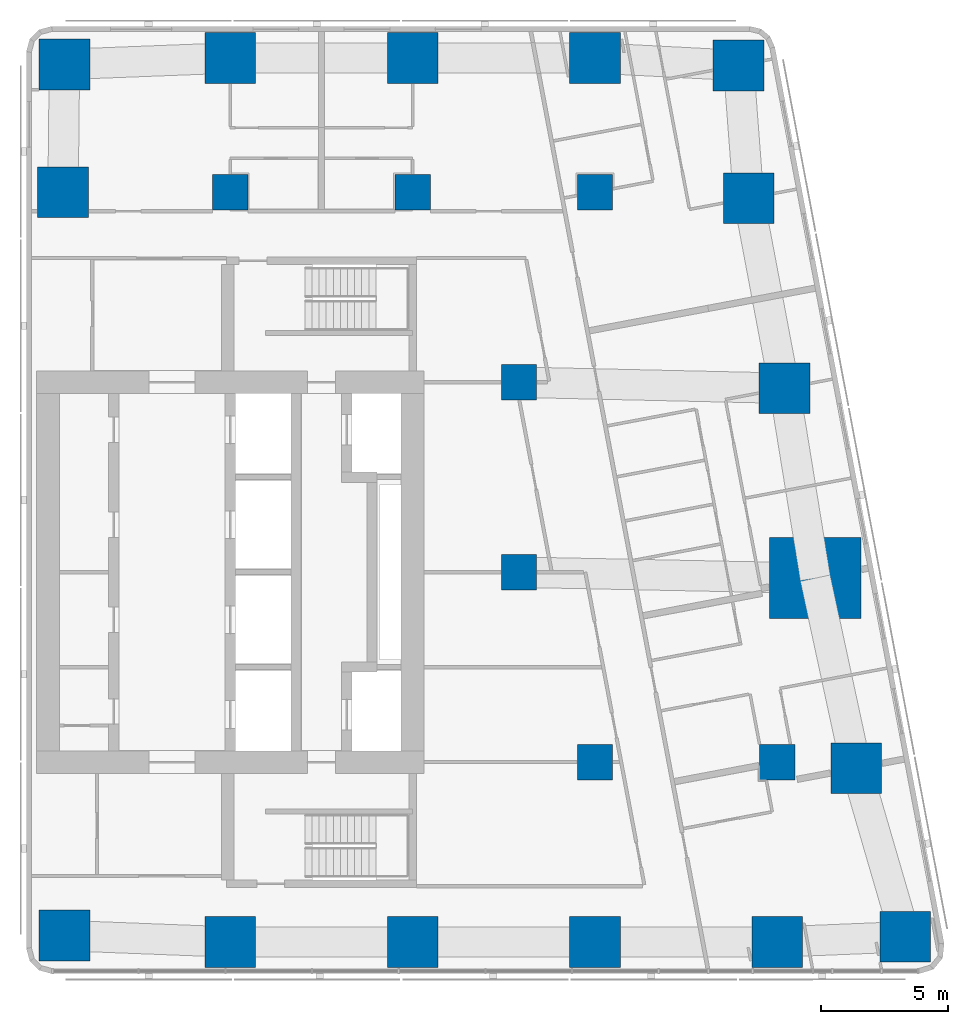
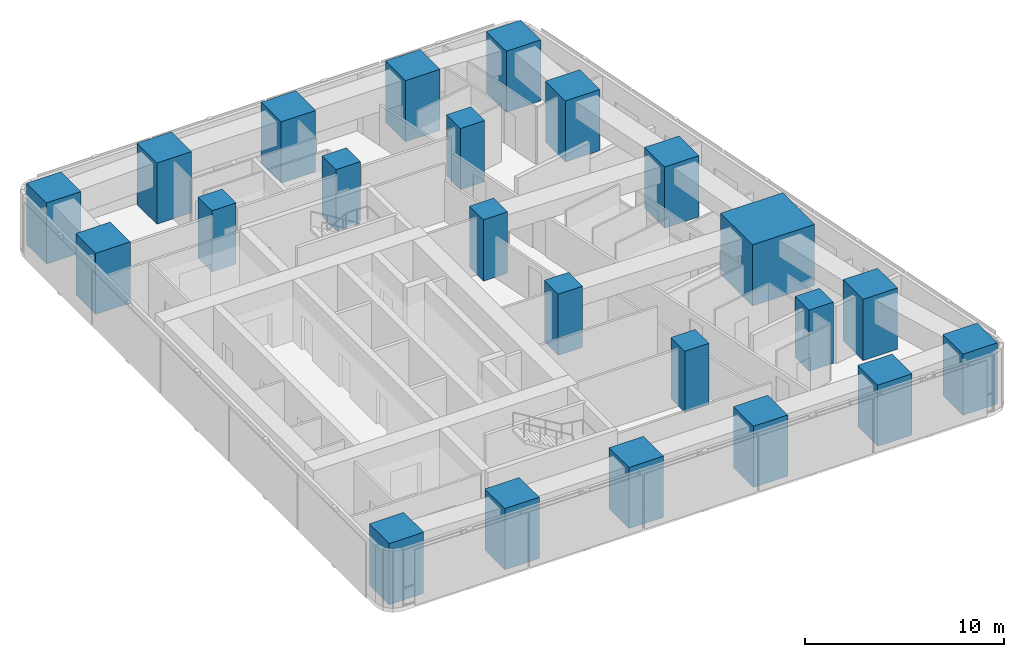
# One storey, part 1 of 11: 23 columns.
"""IFC4 building model written with IfcOpenShell, lengths in metres."""

from ifc_helpers import new_model, si_unit, direction, frame, origin, origin_2d, place, context, subcontext, project, spatial, rectangle, extrude, material, material_profile, profile_set, type_object, element, save


model = new_model("IFC4")

# Units and contexts
model_context = context("Model", 3, precision=1e-05, world=origin(), true_north=direction((0.0, 1.0)))
body_context = subcontext(model_context, "Body", "Model", "MODEL_VIEW")
ifc_project = project(units=[si_unit("LENGTHUNIT", "METRE"), si_unit("AREAUNIT", "SQUARE_METRE"), si_unit("VOLUMEUNIT", "CUBIC_METRE"), si_unit("PLANEANGLEUNIT", "RADIAN"), si_unit("MASSUNIT", "GRAM", prefix="KILO")], contexts=[model_context])

# Site, building, storey
site_placement = place(None, origin())
site = spatial("IfcSite", under=ifc_project, at=site_placement, CompositionType="ELEMENT")
building_placement = place(site_placement, origin())
building = spatial("IfcBuilding", under=site, at=building_placement, Name="Sheger Commons Tower", CompositionType="ELEMENT")
storey_placement = place(building_placement, frame((0.0, 0.0, 255.35009765625)))
storey = spatial("IfcBuildingStorey", under=building, at=storey_placement, Name="L65", CompositionType="ELEMENT", Elevation=255.35009765625)

# Columns
ifc_material_1 = material(Name="Concrete C50/60", Category="concrete")
ifc_material_profile_1 = material_profile(ifc_material_1, rectangle(XDim=3.60009765625, YDim=3.199951171875, at=origin_2d()), Name="RC 3600x3200")
ifc_profile_set_1 = profile_set([ifc_material_profile_1], Name="Concrete C50/60")
column_type_1 = type_object("IfcColumnType", Name="COLUMN PIER RC 3600x3200", PredefinedType="COLUMN", material=ifc_profile_set_1)
column_placement = place(storey_placement, frame((44.697021484375, 22.262939453125, 0.0), z_axis=(0.0, 0.0, 1.0), x_axis=(1.0, 0.0, 0.0)))
element("IfcColumn", 1, at=column_placement, inside=storey, type_object=column_type_1, Name="Pier 7/D+E/D L65", PredefinedType="COLUMN", context=body_context, shape_type="SweptSolid", body=[
    extrude(rectangle(XDim=3.60009765625, YDim=3.199951171875, at=origin_2d()), origin(), (0.0, 0.0, 1.0), 3.75),
])
ifc_material_2 = material(Name="Concrete C50/60", Category="concrete")
ifc_material_profile_2 = material_profile(ifc_material_2, rectangle(XDim=1.39990234375, YDim=1.39990234375, at=origin_2d()), Name="RC 1400x1400")
ifc_profile_set_2 = profile_set([ifc_material_profile_2], Name="Concrete C50/60")
column_type_2 = type_object("IfcColumnType", Name="COLUMN RC 1400x1400", PredefinedType="COLUMN", material=ifc_profile_set_2)
for number, where, z_axis, x_axis, name in (
    (2, (36.0, 15.0, 0.0), (0.0, 0.0, 1.0), (1.0, 0.0, 0.0), "Column 6/C L65"),
    (3, (43.199951171875, 15.0, 0.0), (0.0, 0.0, 1.0), (1.0, 0.0, 0.0), "Column 7/C L65"),
    (4, (33.0, 22.5, 0.0), (0.0, 0.0, 1.0), (1.0, 0.0, 0.0), "Column 6-3000/D L65"),
    (5, (33.0, 30.0, 0.0), (0.0, 0.0, 1.0), (1.0, 0.0, 0.0), "Column 6-3000/E L65"),
    (6, (21.60009765625, 37.5, 0.0), (0.0, 0.0, 1.0), (1.0, 0.0, 0.0), "Column 4/F L65"),
    (7, (28.800048828125, 37.5, 0.0), (0.0, 0.0, 1.0), (1.0, 0.0, 0.0), "Column 5/F L65"),
    (8, (36.0, 37.5, 0.0), (0.0, 0.0, 1.0), (1.0, 0.0, 0.0), "Column 6/F L65"),
):
    element("IfcColumn", number, at=place(storey_placement, frame(where, z_axis=z_axis, x_axis=x_axis)), inside=storey, type_object=column_type_2, Name=name, PredefinedType="COLUMN", context=body_context, shape_type="SweptSolid", body=[
        extrude(rectangle(XDim=1.39990234375, YDim=1.39990234375, at=origin_2d()), origin(), (0.0, 0.0, 1.0), 3.75),
    ])
ifc_material_3 = material(Name="Concrete C50/60", Category="concrete")
ifc_material_profile_3 = material_profile(ifc_material_3, rectangle(XDim=2.0, YDim=2.0, at=origin_2d()), Name="RC 2000x2000")
ifc_profile_set_3 = profile_set([ifc_material_profile_3], Name="Concrete C50/60")
column_type_3 = type_object("IfcColumnType", Name="COLUMN RC 2000x2000", PredefinedType="COLUMN", material=ifc_profile_set_3)
for number, where, z_axis, x_axis, name in (
    (9, (15.053955078125, 8.154052734375, 0.0), (0.0, 0.0, 1.0), (1.0, 0.0, 0.0), "Column 3/B L65"),
    (10, (21.60009765625, 7.89990234375, 0.0), (0.0, 0.0, 1.0), (1.0, 0.0, 0.0), "Column 4/B L65"),
    (11, (28.800048828125, 7.89990234375, 0.0), (0.0, 0.0, 1.0), (1.0, 0.0, 0.0), "Column 5/B L65"),
    (12, (36.0, 7.89990234375, 0.0), (0.0, 0.0, 1.0), (1.0, 0.0, 0.0), "Column 6/B L65"),
    (13, (43.199951171875, 7.89990234375, 0.0), (0.0, 0.0, 1.0), (1.0, 0.0, 0.0), "Column 7/B L65"),
    (14, (48.251953125, 8.10693359375, 0.0), (0.0, 0.0, 1.0), (1.0, 0.0, 0.0), "Column E/B L65"),
    (15, (46.31396484375, 14.762939453125, 0.0), (0.0, 0.0, 1.0), (1.0, 0.0, 0.0), "Column E/C L65"),
    (16, (43.47998046875, 29.762939453125, 0.0), (0.0, 0.0, 1.0), (1.0, 0.0, 0.0), "Column E/E L65"),
    (17, (15.0, 37.5, 0.0), (0.0, 0.0, 1.0), (1.0, 0.0, 0.0), "Column 3/F L65"),
    (18, (42.06396484375, 37.262939453125, 0.0), (0.0, 0.0, 1.0), (1.0, 0.0, 0.0), "Column E/F L65"),
    (19, (15.053955078125, 42.5458984375, 0.0), (0.0, 0.0, 1.0), (1.0, 0.0, 0.0), "Column 3/G-1.8 L65"),
    (20, (21.60009765625, 42.800048828125, 0.0), (0.0, 0.0, 1.0), (1.0, 0.0, 0.0), "Column 4/G-1.8 L65"),
    (21, (28.800048828125, 42.800048828125, 0.0), (0.0, 0.0, 1.0), (1.0, 0.0, 0.0), "Column 5/G-1.8 L65"),
    (22, (36.0, 42.800048828125, 0.0), (0.0, 0.0, 1.0), (1.0, 0.0, 0.0), "Column 6/G-1.8 L65"),
    (23, (41.6669921875, 42.506103515625, 0.0), (0.0, 0.0, 1.0), (1.0, 0.0, 0.0), "Column E/G-1.8 L65"),
):
    element("IfcColumn", number, at=place(storey_placement, frame(where, z_axis=z_axis, x_axis=x_axis)), inside=storey, type_object=column_type_3, Name=name, PredefinedType="COLUMN", context=body_context, shape_type="SweptSolid", body=[
        extrude(rectangle(XDim=2.0, YDim=2.0, at=origin_2d()), origin(), (0.0, 0.0, 1.0), 3.75),
    ])

save(model, "model.ifc")
